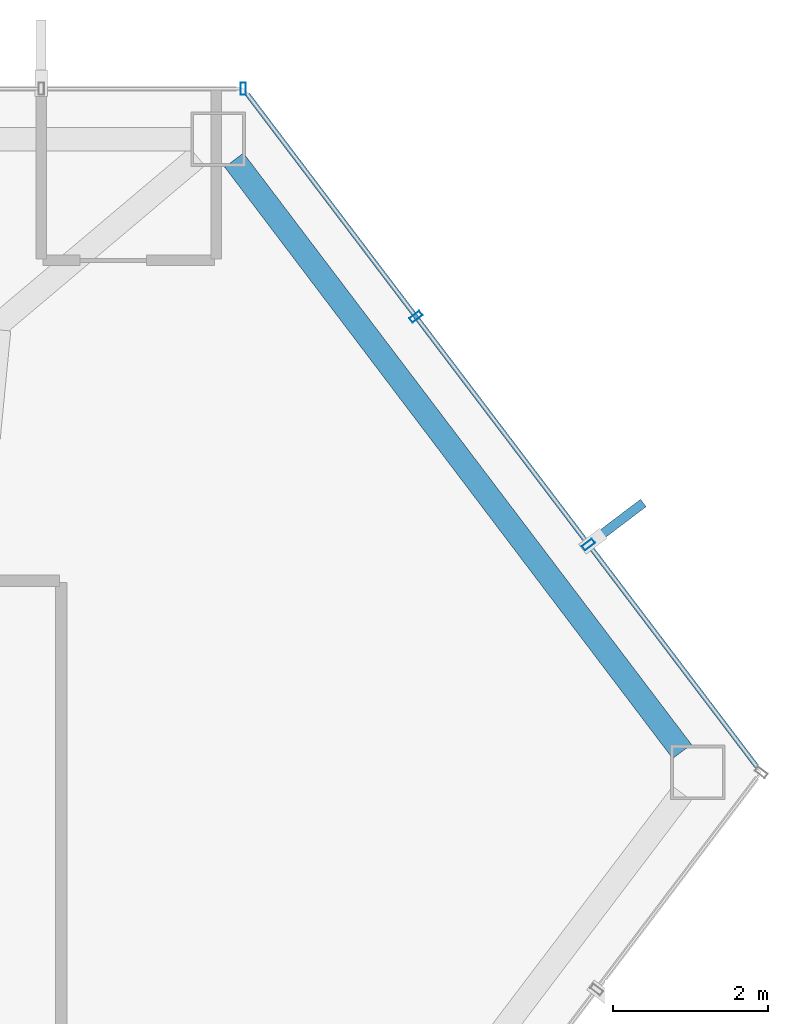
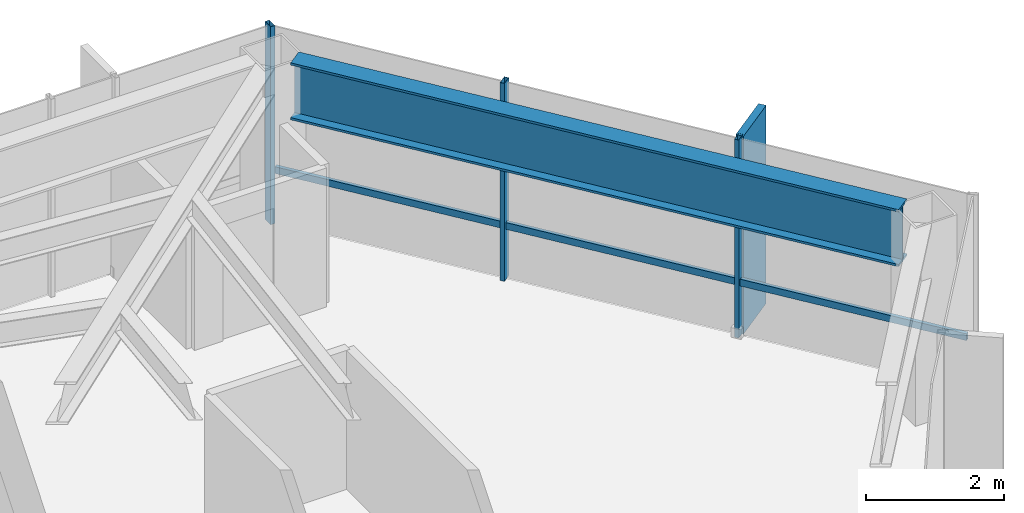
# One storey, part 23 of 28: 5 members, 1 beam, 2 elements without a shape of their own.
"""IFC4 building model written with IfcOpenShell, lengths in metres."""

from ifc_helpers import new_model, si_unit, direction, frame, origin, origin_2d, place, context, subcontext, project, spatial, rectangle, hollow_rectangle, i_section, extrude, material, layer, layer_set, material_profile, profile_set, type_object, element, aggregate, save


model = new_model("IFC4")

# Units and contexts
model_context = context("Model", 3, precision=1e-05, world=origin(), true_north=direction((0.0, 1.0)))
body_context = subcontext(model_context, "Body", "Model", "MODEL_VIEW")
ifc_project = project(units=[si_unit("LENGTHUNIT", "METRE"), si_unit("AREAUNIT", "SQUARE_METRE"), si_unit("VOLUMEUNIT", "CUBIC_METRE"), si_unit("PLANEANGLEUNIT", "RADIAN"), si_unit("MASSUNIT", "GRAM", prefix="KILO")], contexts=[model_context])

# Site, building, storey
site_placement = place(None, origin())
site = spatial("IfcSite", under=ifc_project, at=site_placement, CompositionType="ELEMENT")
building_placement = place(site_placement, origin())
building = spatial("IfcBuilding", under=site, at=building_placement, Name="Zarrinselat Tower", CompositionType="ELEMENT")
storey_placement = place(building_placement, frame((0.0, 0.0, 164.56005859375)))
storey = spatial("IfcBuildingStorey", under=building, at=storey_placement, Name="L40", CompositionType="ELEMENT", Elevation=164.56005859375)

# Beam
ifc_material_1 = material(Name="Steel S460M", Category="steel")
ifc_material_profile_1 = material_profile(ifc_material_1, i_section(OverallWidth=0.302001953125, OverallDepth=1.008056640625, WebThickness=0.02099609375, FlangeThickness=0.0400390625, at=origin_2d()), Name="HEM 1000")
ifc_profile_set_1 = profile_set([ifc_material_profile_1], Name="Steel S460M")
beam_type = type_object("IfcBeamType", Name="BM-HEM1000", PredefinedType="BEAM", material=ifc_profile_set_1)
beam_placement = place(storey_placement, frame((56.227783203125, 47.91943359375, 2.995849609375), z_axis=(0.603856212218, -0.797093266165, 0.0), x_axis=(0.797093266165, 0.603856212218, 0.0)))
element("IfcBeam", 1, at=beam_placement, inside=storey, type_object=beam_type, Name="L40 Perimeter Spandrel Girder SP15", PredefinedType="BEAM", context=body_context, shape_type="SweptSolid", body=[
    extrude(i_section(OverallWidth=0.302001953125, OverallDepth=1.008056640625, WebThickness=0.02099609375, FlangeThickness=0.0400390625, at=origin_2d()), origin(), (0.0, 0.0, 1.0), 9.55517578125),
])

# Curtain wall, member
ifc_material_2 = material(Name="Extruded Aluminium Alloy EN AW-6063 T6", Category="aluminium")
ifc_layer = layer(ifc_material_2, 0.175048828125)
ifc_layer_set = layer_set([ifc_layer], Name="Extruded Aluminium Alloy EN AW-6063 T6")
curtain_wall_type = type_object("IfcCurtainWallType", Name="CWS-HTL", PredefinedType="NOTDEFINED", material=ifc_layer_set)
curtain_wall_1_placement = place(storey_placement, origin())
curtain_wall_1 = element("IfcCurtainWall", 2, at=curtain_wall_1_placement, inside=storey, type_object=curtain_wall_type, Name="L40 Unitised Curtain Wall CW-L40-E01", PredefinedType="NOTDEFINED")
ifc_material_3 = material(Name="Extruded Aluminium Alloy EN AW-6063 T6", Category="aluminium")
ifc_material_profile_2 = material_profile(ifc_material_3, hollow_rectangle(XDim=0.070068359375, YDim=0.159912109375, WallThickness=0.00390625, at=origin_2d()), Name="RHS 160x70x4")
ifc_profile_set_2 = profile_set([ifc_material_profile_2], Name="Extruded Aluminium Alloy EN AW-6063 T6")
member_type_1 = type_object("IfcMemberType", Name="MEM-CW-MUL2", PredefinedType="MULLION", material=ifc_profile_set_2)
member_1_placement = place(storey_placement, frame((56.3466796875, 48.8388671875, 0.0), z_axis=(0.0, 0.0, 1.0), x_axis=(-1.0, 0.0, 0.0)))
member_1 = element("IfcMember", 3, at=member_1_placement, type_object=member_type_1, Name="CW-L40-E01 Mullion 0", PredefinedType="MULLION", context=body_context, shape_type="SweptSolid", body=[
    extrude(hollow_rectangle(XDim=0.070068359375, YDim=0.159912109375, WallThickness=0.00390625, at=origin_2d()), origin(), (0.0, 0.0, 1.0), 3.5),
])
aggregate(curtain_wall_1, [member_1])

# Curtain wall, members
curtain_wall_2_placement = place(storey_placement, origin())
curtain_wall_2 = element("IfcCurtainWall", 4, at=curtain_wall_2_placement, inside=storey, type_object=curtain_wall_type, Name="L40 Unitised Curtain Wall CW-L40-E06", PredefinedType="NOTDEFINED")
member_2_placement = place(storey_placement, frame((60.793701171875, 42.96875, 0.0), z_axis=(0.0, 0.0, 1.0), x_axis=(-0.603857339419, 0.797092412227, 0.0)))
member_2 = element("IfcMember", 5, at=member_2_placement, type_object=member_type_1, Name="CW-L40-E06 Mullion 1", PredefinedType="MULLION", context=body_context, shape_type="SweptSolid", body=[
    extrude(hollow_rectangle(XDim=0.070068359375, YDim=0.159912109375, WallThickness=0.00390625, at=origin_2d()), origin(), (0.0, 0.0, 1.0), 3.5),
])
member_3_placement = place(storey_placement, frame((58.5703125, 45.90380859375, 0.0), z_axis=(0.0, 0.0, 1.0), x_axis=(-0.603857339419, 0.797092412227, 0.0)))
member_3 = element("IfcMember", 6, at=member_3_placement, type_object=member_type_1, Name="CW-L40-E06 Mullion 2", PredefinedType="MULLION", context=body_context, shape_type="SweptSolid", body=[
    extrude(hollow_rectangle(XDim=0.070068359375, YDim=0.159912109375, WallThickness=0.00390625, at=origin_2d()), origin(), (0.0, 0.0, 1.0), 3.5),
])
ifc_material_4 = material(Name="Extruded Aluminium Alloy EN AW-6063 T6", Category="aluminium")
ifc_material_profile_3 = material_profile(ifc_material_4, hollow_rectangle(XDim=0.06005859375, YDim=0.1201171875, WallThickness=0.00390625, at=origin_2d()), Name="RHS 120x60x4")
ifc_profile_set_3 = profile_set([ifc_material_profile_3], Name="Extruded Aluminium Alloy EN AW-6063 T6")
member_type_2 = type_object("IfcMemberType", Name="MEM-CW-TRN2", PredefinedType="USERDEFINED", material=ifc_profile_set_3)
member_4_placement = place(storey_placement, frame((62.962890625, 40.10546875, 0.949951171875), z_axis=(-0.603868069429, 0.797084283325, 0.0), x_axis=(-0.797084283325, -0.603868069429, 0.0)))
member_4 = element("IfcMember", 7, at=member_4_placement, type_object=member_type_2, Name="CW-L40-E06 Transom 1", ObjectType="TRANSOM", PredefinedType="USERDEFINED", context=body_context, shape_type="SweptSolid", body=[
    extrude(hollow_rectangle(XDim=0.06005859375, YDim=0.1201171875, WallThickness=0.00390625, at=origin_2d()), origin(), (0.0, 0.0, 1.0), 10.86669921875),
])
ifc_material_5 = material(Name="Honed Cream Travertine Stone", Category="masonry")
ifc_material_profile_4 = material_profile(ifc_material_5, rectangle(XDim=0.1201171875, YDim=0.85009765625, at=origin_2d()), Name="FIN 850x120")
ifc_profile_set_4 = profile_set([ifc_material_profile_4], Name="Honed Cream Travertine Stone")
member_type_3 = type_object("IfcMemberType", Name="MEM-STONE-FIN", PredefinedType="USERDEFINED", material=ifc_profile_set_4)
member_5_placement = place(storey_placement, frame((61.160400390625, 43.24658203125, 0.0), z_axis=(0.0, 0.0, 1.0), x_axis=(0.603857339419, -0.797092412227, 0.0)))
member_5 = element("IfcMember", 8, at=member_5_placement, type_object=member_type_3, Name="L40 Stone Shading Fin CW-L40-E06-01", ObjectType="FIN", PredefinedType="USERDEFINED", context=body_context, shape_type="SweptSolid", body=[
    extrude(rectangle(XDim=0.1201171875, YDim=0.85009765625, at=origin_2d()), origin(), (0.0, 0.0, 1.0), 3.5),
])
aggregate(curtain_wall_2, [member_2, member_5, member_3, member_4])

save(model, "model.ifc")
